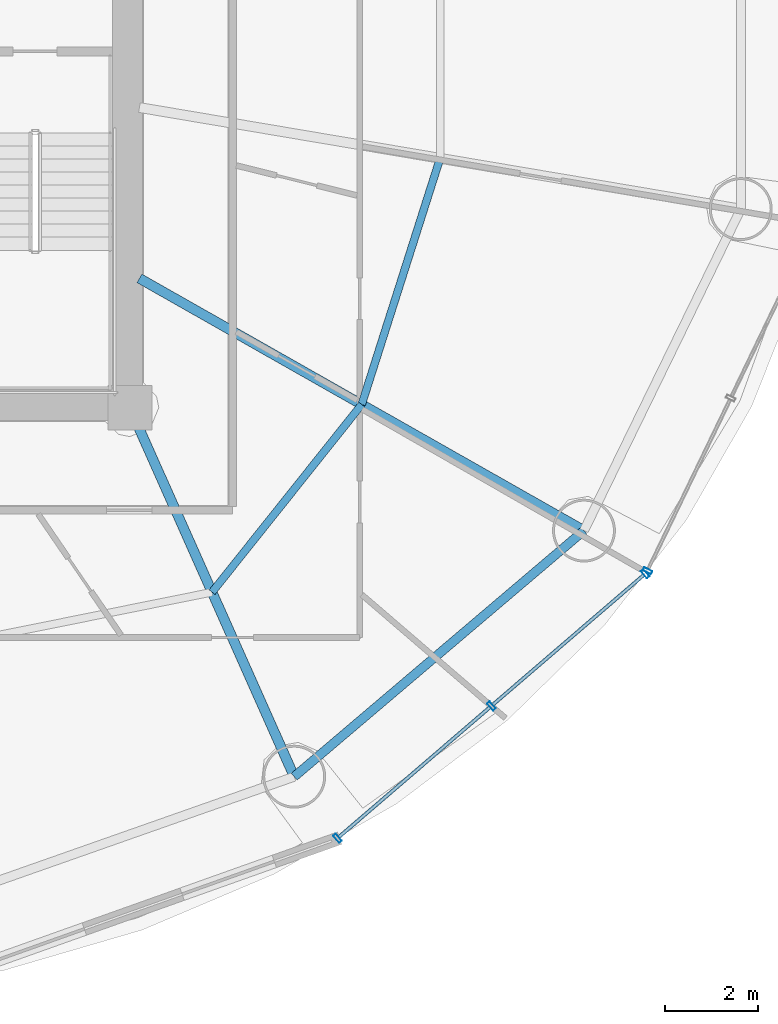
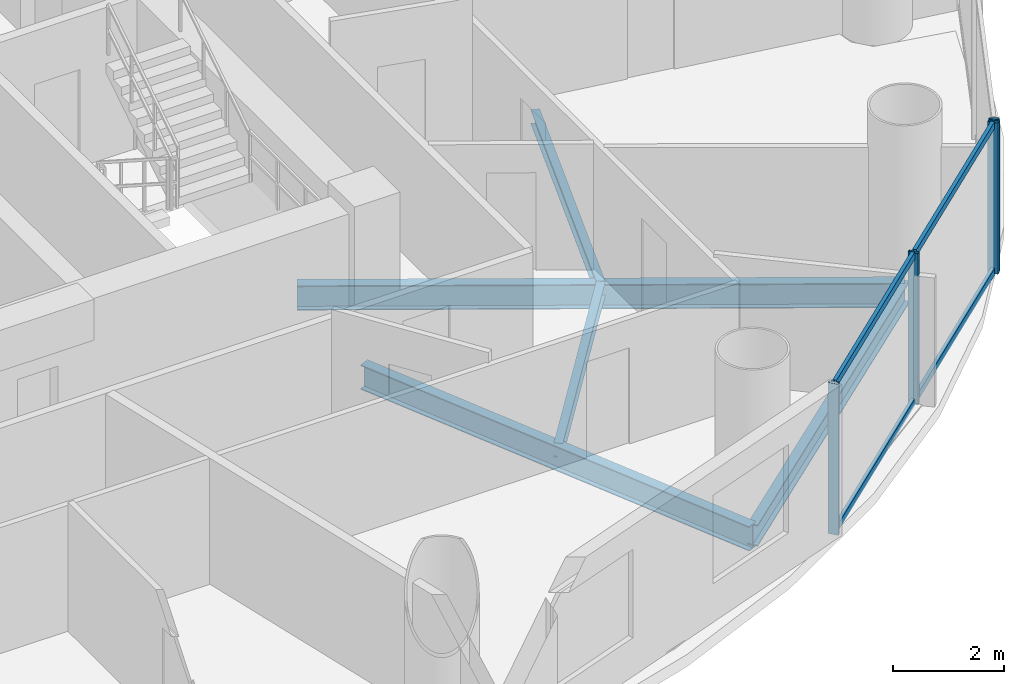
# One storey, part 10 of 26: 8 members, 5 beams, 2 elements without a shape of their own.
"""IFC4 building model written with IfcOpenShell, lengths in metres."""

import ifcopenshell
import ifcopenshell.guid

model = None  # the IFC model being written
_history = None  # IfcOwnerHistory: only IFC2X3 demands one
_inside = {}  # id of a spatial element -> (the spatial element, [elements in it])
_under = {}  # id of a project, library or spatial element -> (it, [spatial elements below it])
_declared = {}  # id of a project -> (the project, [libraries it declares])
_typed = {}  # id of a type object -> (the type object, [elements of that type])
_made_of = {}  # id of a material, layer set ... -> (it, [elements and type objects made of it])


def new_model(schema):
    """Start an empty IFC model of exactly this schema.

    Asked for "IFC4X3", IfcOpenShell would pick the latest addendum, in which some entities
    have other attributes; the version numbers below select the first issue.
    IFC2X3 requires an IfcOwnerHistory on every rooted entity: one is made here for all.
    """
    global model, _history
    if schema == "IFC4X3":
        model = ifcopenshell.file(schema_version=(4, 3, 0, 0))
    else:
        model = ifcopenshell.file(schema=schema)
    _inside.clear()
    _under.clear()
    _declared.clear()
    _typed.clear()
    _made_of.clear()
    _history = None
    if model.schema == "IFC2X3":
        org = make("IfcOrganization", Name="unknown")
        user = make(
            "IfcPersonAndOrganization",
            ThePerson=make("IfcPerson", FamilyName="unknown"),
            TheOrganization=org,
        )
        app = make(
            "IfcApplication",
            ApplicationDeveloper=org,
            Version="unknown",
            ApplicationFullName="unknown",
            ApplicationIdentifier="unknown",
        )
        _history = make(
            "IfcOwnerHistory",
            OwningUser=user,
            OwningApplication=app,
            ChangeAction="ADDED",
            CreationDate=0,
        )
    return model


def make(cls, **values):
    """One entity of the class cls with the attributes given. An attribute that is None is left unset."""
    return model.create_entity(
        cls, **{name: value for name, value in values.items() if value is not None}
    )


def rooted(cls, **values):
    """An entity with a GlobalId (a new one), such as an element, a storey or a relation."""
    return make(cls, GlobalId=ifcopenshell.guid.new(), OwnerHistory=_history, **values)


def si_unit(unit_type, name, prefix=None):
    """IfcSIUnit, for example si_unit("LENGTHUNIT", "METRE", prefix="MILLI")."""
    return make("IfcSIUnit", UnitType=unit_type, Prefix=prefix, Name=name)


def assignment(units):
    """IfcUnitAssignment: the units of a project."""
    return None if units is None else make("IfcUnitAssignment", Units=units)


def point(xyz):
    """IfcCartesianPoint."""
    return None if xyz is None else make("IfcCartesianPoint", Coordinates=xyz)


def direction(xyz):
    """IfcDirection."""
    return None if xyz is None else make("IfcDirection", DirectionRatios=xyz)


def frame(location, z_axis=None, x_axis=None):
    """IfcAxis2Placement3D, a coordinate frame: its origin and axes. An axis left out is left unset."""
    return make(
        "IfcAxis2Placement3D",
        Location=point(location),
        Axis=direction(z_axis),
        RefDirection=direction(x_axis),
    )


def frame_2d(location, x_axis=None):
    """IfcAxis2Placement2D, a coordinate frame in the plane: its origin and x axis."""
    return make(
        "IfcAxis2Placement2D", Location=point(location), RefDirection=direction(x_axis)
    )


def origin():
    """The frame at (0, 0, 0) with its axes left unset."""
    return frame((0.0, 0.0, 0.0))


def origin_2d():
    """The frame at (0, 0) in the plane with its x axis left unset."""
    return frame_2d((0.0, 0.0))


def place(relative_to, where):
    """IfcLocalPlacement: puts the frame where relative to a parent placement (None: the world)."""
    return make(
        "IfcLocalPlacement", PlacementRelTo=relative_to, RelativePlacement=where
    )


def context(
    kind, dimensions, precision=None, world=None, true_north=None, identifier=None
):
    """IfcGeometricRepresentationContext, for example the 3D "Model" context."""
    return make(
        "IfcGeometricRepresentationContext",
        ContextIdentifier=identifier,
        ContextType=kind,
        CoordinateSpaceDimension=dimensions,
        Precision=precision,
        WorldCoordinateSystem=world,
        TrueNorth=true_north,
    )


def subcontext(parent, identifier, kind, view, scale=None):
    """IfcGeometricRepresentationSubContext, for example "Body" below "Model"."""
    return make(
        "IfcGeometricRepresentationSubContext",
        ContextIdentifier=identifier,
        ContextType=kind,
        ParentContext=parent,
        TargetScale=scale,
        TargetView=view,
    )


def project(units=None, contexts=None):
    """IfcProject with its units and contexts."""
    return rooted(
        "IfcProject",
        Name="project",
        RepresentationContexts=contexts,
        UnitsInContext=assignment(units),
    )


def spatial(cls, under=None, at=None, **own):
    """A site, building, storey or space (cls), placed at a placement, below another one or the project."""
    s = rooted(cls, ObjectPlacement=at, **own)
    if under is not None:
        _under.setdefault(under.id(), (under, []))[1].append(s)
    return s


def profile(cls, at=None, kind="AREA", **sizes):
    """A parametric profile (cls). Its sizes go by their IFC names, for example OverallWidth=200.0."""
    return make(cls, ProfileType=kind, Position=at, **sizes)


def hollow_rectangle(**sizes):
    """IfcRectangleHollowProfileDef."""
    return profile("IfcRectangleHollowProfileDef", **sizes)


def i_section(**sizes):
    """IfcIShapeProfileDef."""
    return profile("IfcIShapeProfileDef", **sizes)


def extrude(swept, where, along, depth):
    """IfcExtrudedAreaSolid: the profile swept, set in the frame where, extruded along a direction by depth."""
    return make(
        "IfcExtrudedAreaSolid",
        SweptArea=swept,
        Position=where,
        ExtrudedDirection=direction(along),
        Depth=depth,
    )


def shape(context_of_items, identifier, shape_type, items):
    """IfcShapeRepresentation: the items that make up one representation, for example the "Body"."""
    return make(
        "IfcShapeRepresentation",
        ContextOfItems=context_of_items,
        RepresentationIdentifier=identifier,
        RepresentationType=shape_type,
        Items=items,
    )


def source(mapping_origin, context_of_items, identifier, shape_type, items):
    """IfcRepresentationMap: a shape defined once, which mapped items show again and again."""
    return make(
        "IfcRepresentationMap",
        MappingOrigin=mapping_origin,
        MappedRepresentation=shape(context_of_items, identifier, shape_type, items),
    )


def transform(
    local_origin,
    x_axis=None,
    y_axis=None,
    z_axis=None,
    scale=None,
    scale2=None,
    scale3=None,
    uniform=True,
):
    """IfcCartesianTransformationOperator3D, or its non-uniform kind. x_axis, y_axis, z_axis: its Axis1, 2, 3."""
    if uniform:
        return make(
            "IfcCartesianTransformationOperator3D",
            Axis1=direction(x_axis),
            Axis2=direction(y_axis),
            LocalOrigin=point(local_origin),
            Scale=scale,
            Axis3=direction(z_axis),
        )
    return make(
        "IfcCartesianTransformationOperator3DnonUniform",
        Axis1=direction(x_axis),
        Axis2=direction(y_axis),
        LocalOrigin=point(local_origin),
        Scale=scale,
        Axis3=direction(z_axis),
        Scale2=scale2,
        Scale3=scale3,
    )


def mapped(mapping_source, mapping_target):
    """IfcMappedItem: shows the shape of a source again, moved by a transform."""
    return make(
        "IfcMappedItem", MappingSource=mapping_source, MappingTarget=mapping_target
    )


def material(Name=None, Category=None):
    """IfcMaterial."""
    return make("IfcMaterial", Name=Name, Category=Category)


def material_profile(
    of_material, cross_section, Name=None, Category=None, Priority=None
):
    """IfcMaterialProfile: a cross section and its material."""
    return make(
        "IfcMaterialProfile",
        Name=Name,
        Material=of_material,
        Profile=cross_section,
        Priority=Priority,
        Category=Category,
    )


def profile_set(profiles, Name=None, composite=None):
    """IfcMaterialProfileSet."""
    return make(
        "IfcMaterialProfileSet",
        Name=Name,
        MaterialProfiles=profiles,
        CompositeProfile=composite,
    )


def made_of(thing, what):
    """Note that an element or type object is made of a material, layer set ...; save() writes the relation."""
    if what is not None:
        _made_of.setdefault(what.id(), (what, []))[1].append(thing)
    return thing


def type_object(cls, material=None, **own):
    """A type object (cls), such as IfcWallType, which elements share."""
    return made_of(rooted(cls, **own), material)


def element(
    cls,
    number,
    at=None,
    inside=None,
    cuts=None,
    type_object=None,
    material=None,
    context=None,
    identifier="Body",
    shape_type=None,
    held_by="IfcProductDefinitionShape",
    body=None,
    shapes=None,
    **own,
):
    """One element of the class cls, such as IfcWall. Its Tag is "e" and its number.

    at: its placement. inside: the storey or other place that contains it. cuts: it is an
    opening in that element (IfcRelVoidsElement). A single representation is given by context,
    identifier, shape_type and body (its items); several are given by shapes. held_by: the class
    of the entity that holds the representations. save() writes the other relations.
    """
    e = rooted(cls, Tag="e%d" % number, ObjectPlacement=at, **own)
    if body is not None:
        shapes = [shape(context, identifier, shape_type, body)]
    if shapes is not None:
        e.Representation = make(held_by, Representations=shapes)
    if inside is not None:
        _inside.setdefault(inside.id(), (inside, []))[1].append(e)
    if cuts is not None:
        rooted(
            "IfcRelVoidsElement", RelatingBuildingElement=cuts, RelatedOpeningElement=e
        )
    if type_object is not None:
        _typed.setdefault(type_object.id(), (type_object, []))[1].append(e)
    return made_of(e, material)


def aggregate(whole, parts):
    """IfcRelAggregates: a whole, such as a stair, and the parts it consists of."""
    return rooted("IfcRelAggregates", RelatingObject=whole, RelatedObjects=parts)


def save(model, path):
    """Write the relations noted so far, then the file.

    IfcRelAggregates (storeys below a building ...), IfcRelContainedInSpatialStructure (elements
    in a storey), IfcRelDefinesByType, IfcRelAssociatesMaterial and IfcRelDeclares: one each for
    every whole, place, type object, material and project.
    """
    for whole, parts in _under.values():
        aggregate(whole, parts)
    for where, things in _inside.values():
        rooted(
            "IfcRelContainedInSpatialStructure",
            RelatedElements=things,
            RelatingStructure=where,
        )
    for kind, things in _typed.values():
        rooted("IfcRelDefinesByType", RelatedObjects=things, RelatingType=kind)
    for what, things in _made_of.values():
        rooted("IfcRelAssociatesMaterial", RelatedObjects=things, RelatingMaterial=what)
    for by, libraries in _declared.values():
        rooted("IfcRelDeclares", RelatingContext=by, RelatedDefinitions=libraries)
    model.write(path)


model = new_model("IFC4")

# Units and contexts
model_context = context("Model", 3, precision=1e-05, world=origin(), true_north=direction((-0.2419218956, 0.970295726276)))
body_context = subcontext(model_context, "Body", "Model", "MODEL_VIEW")
ifc_project = project(units=[si_unit("LENGTHUNIT", "METRE"), si_unit("AREAUNIT", "SQUARE_METRE"), si_unit("VOLUMEUNIT", "CUBIC_METRE"), si_unit("PLANEANGLEUNIT", "RADIAN"), si_unit("MASSUNIT", "GRAM", prefix="KILO")], contexts=[model_context])

# Site, building, storey
site_placement = place(None, origin())
site = spatial("IfcSite", under=ifc_project, at=site_placement, CompositionType="ELEMENT")
building_placement = place(site_placement, origin())
building = spatial("IfcBuilding", under=site, at=building_placement, Name="Cobrevalo Terracotta Tower", CompositionType="ELEMENT")
storey_placement = place(building_placement, frame((0.0, 0.0, 142.60009765625)))
storey = spatial("IfcBuildingStorey", under=building, at=storey_placement, Name="L37", CompositionType="ELEMENT", Elevation=142.60009765625)

# Beams
ifc_material_1 = material(Name="Steel S355", Category="steel")
ifc_material_profile_1 = material_profile(ifc_material_1, i_section(OverallWidth=0.2109375, OverallDepth=0.5390625, WebThickness=0.01171875, FlangeThickness=0.018798828125, at=origin_2d()), Name="W 530x109")
ifc_profile_set_1 = profile_set([ifc_material_profile_1], Name="Steel S355")
beam_type_1 = type_object("IfcBeamType", Name="Structural Beam W 530x109 (Steel S355)", PredefinedType="BEAM", material=ifc_profile_set_1)
beam_1_placement = place(storey_placement, frame((50.528076171875, 10.87744140625, -0.53955078125), z_axis=(-0.406804395691, 0.913515289224, 0.0), x_axis=(-0.913515289224, -0.406804395691, 0.0)))
element("IfcBeam", 1, at=beam_1_placement, inside=storey, type_object=beam_type_1, Name="L37 radial floor girder 14", PredefinedType="BEAM", context=body_context, shape_type="SweptSolid", body=[
    extrude(i_section(OverallWidth=0.2109375, OverallDepth=0.5390625, WebThickness=0.01171875, FlangeThickness=0.018798828125, at=origin_2d()), origin(), (0.0, 0.0, 1.0), 8.672607421875),
])
beam_2_placement = place(storey_placement, frame((56.749755859375, 16.160888671875, -0.53955078125), z_axis=(-0.869743726706, 0.493503647257, 0.0), x_axis=(-0.493503647257, -0.869743726706, 0.0)))
element("IfcBeam", 2, at=beam_2_placement, inside=storey, type_object=beam_type_1, Name="L37 radial floor girder 15", PredefinedType="BEAM", context=body_context, shape_type="SweptSolid", body=[
    extrude(i_section(OverallWidth=0.2109375, OverallDepth=0.5390625, WebThickness=0.01171875, FlangeThickness=0.018798828125, at=origin_2d()), origin(), (0.0, 0.0, 1.0), 10.97412109375),
])
ifc_material_profile_2 = material_profile(ifc_material_1, i_section(OverallWidth=0.1650390625, OverallDepth=0.31005859375, WebThickness=0.005859375, FlangeThickness=0.009765625, at=origin_2d()), Name="W 310x38.7")
ifc_profile_set_2 = profile_set([ifc_material_profile_2], Name="Steel S355")
beam_type_2 = type_object("IfcBeamType", Name="Structural Joist W 310x38.7 (Steel S355)", PredefinedType="JOIST", material=ifc_profile_set_2)
beam_3_placement = place(storey_placement, frame((48.76416015625, 14.838623046875, -0.425048828125), z_axis=(0.623382939397, 0.781916690492, 0.0), x_axis=(-0.781916690492, 0.623382939397, 0.0)))
element("IfcBeam", 3, at=beam_3_placement, inside=storey, type_object=beam_type_2, Name="L37 circumferential secondary floor joist 14", PredefinedType="JOIST", context=body_context, shape_type="SweptSolid", body=[
    extrude(i_section(OverallWidth=0.1650390625, OverallDepth=0.31005859375, WebThickness=0.005859375, FlangeThickness=0.009765625, at=origin_2d()), origin(), (0.0, 0.0, 1.0), 5.154296875),
])
beam_4_placement = place(storey_placement, frame((51.977294921875, 18.868896484375, -0.425048828125), z_axis=(0.303497928386, 0.952832098255, 0.0), x_axis=(-0.952832098255, 0.303497928386, 0.0)))
element("IfcBeam", 4, at=beam_4_placement, inside=storey, type_object=beam_type_2, Name="L37 circumferential secondary floor joist 15", PredefinedType="JOIST", context=body_context, shape_type="SweptSolid", body=[
    extrude(i_section(OverallWidth=0.1650390625, OverallDepth=0.31005859375, WebThickness=0.005859375, FlangeThickness=0.009765625, at=origin_2d()), origin(), (0.0, 0.0, 1.0), 5.54736328125),
])
ifc_material_profile_3 = material_profile(ifc_material_1, i_section(OverallWidth=0.194091796875, OverallDepth=0.468994140625, WebThickness=0.011474609375, FlangeThickness=0.0205078125, at=origin_2d()), Name="W 460x106")
ifc_profile_set_3 = profile_set([ifc_material_profile_3], Name="Steel S355")
beam_type_3 = type_object("IfcBeamType", Name="Structural Spandrel W 460x106 (Steel S355)", PredefinedType="SPANDREL", material=ifc_profile_set_3)
beam_5_placement = place(storey_placement, frame((50.528076171875, 10.87744140625, -0.504638671875), z_axis=(0.762240337798, 0.647294112003, 0.0), x_axis=(-0.647294112003, 0.762240337798, 0.0)))
element("IfcBeam", 5, at=beam_5_placement, inside=storey, type_object=beam_type_3, Name="L37 perimeter ring spandrel 14", PredefinedType="SPANDREL", context=body_context, shape_type="SweptSolid", body=[
    extrude(i_section(OverallWidth=0.194091796875, OverallDepth=0.468994140625, WebThickness=0.011474609375, FlangeThickness=0.0205078125, at=origin_2d()), origin(), (0.0, 0.0, 1.0), 8.162353515625),
])

# Curtain wall, members
ifc_material_2 = material(Name="Anodized aluminium", Category="aluminium")
curtain_wall_type = type_object("IfcCurtainWallType", Name="Mid-tower high-wind unitised curtain wall CW-U2", PredefinedType="NOTDEFINED", material=ifc_material_2)
curtain_wall_1_placement = place(storey_placement, origin())
curtain_wall_1 = element("IfcCurtainWall", 6, at=curtain_wall_1_placement, inside=storey, type_object=curtain_wall_type, Name="L37 curtain wall CW-L37-S14", PredefinedType="NOTDEFINED")
ifc_material_profile_4 = material_profile(ifc_material_2, hollow_rectangle(XDim=0.074951171875, YDim=0.14990234375, WallThickness=0.00439453125, at=origin_2d()), Name="CWT 75x150")
ifc_profile_set_4 = profile_set([ifc_material_profile_4], Name="Anodized aluminium")
member_type_1 = type_object("IfcMemberType", Name="Tower unitised aluminium transom 75x150", PredefinedType="USERDEFINED", material=ifc_profile_set_4)
shared_shape_1 = source(origin(), body_context, "Body", "SweptSolid", [
    extrude(hollow_rectangle(XDim=0.074951171875, YDim=0.14990234375, WallThickness=0.00439453125, at=origin_2d()), origin(), (0.0, 0.0, 1.0), 4.276123046875),
])
member_1_placement = place(storey_placement, frame((51.48876953125, 9.58251953125, 0.0498046875), z_axis=(0.758417719247, 0.651768795764, 0.0), x_axis=(-0.651768795764, 0.758417719247, 0.0)))
member_1 = element("IfcMember", 7, at=member_1_placement, type_object=member_type_1, Name="CW-L37-S14 transom B01-T1", ObjectType="TRANSOM", PredefinedType="USERDEFINED", context=body_context, shape_type="MappedRepresentation", body=[
    mapped(shared_shape_1, transform((0.0, 0.0, 0.0), scale=1.0)),
])
member_2_placement = place(storey_placement, frame((51.48876953125, 9.58251953125, 3.27978515625), z_axis=(0.758417719247, 0.651768795764, 0.0), x_axis=(-0.651768795764, 0.758417719247, 0.0)))
member_2 = element("IfcMember", 8, at=member_2_placement, type_object=member_type_1, Name="CW-L37-S14 transom B01-T2", ObjectType="TRANSOM", PredefinedType="USERDEFINED", context=body_context, shape_type="MappedRepresentation", body=[
    mapped(shared_shape_1, transform((0.0, 0.0, 0.0), scale=1.0)),
])
member_3_placement = place(storey_placement, frame((54.792724609375, 12.421630859375, 0.0498046875), z_axis=(0.758417719247, 0.651768795764, 0.0), x_axis=(-0.651768795764, 0.758417719247, 0.0)))
member_3 = element("IfcMember", 9, at=member_3_placement, type_object=member_type_1, Name="CW-L37-S14 transom B02-T1", ObjectType="TRANSOM", PredefinedType="USERDEFINED", context=body_context, shape_type="MappedRepresentation", body=[
    mapped(shared_shape_1, transform((0.0, 0.0, 0.0), scale=1.0)),
])
member_4_placement = place(storey_placement, frame((54.792724609375, 12.421630859375, 3.27978515625), z_axis=(0.758417719247, 0.651768795764, 0.0), x_axis=(-0.651768795764, 0.758417719247, 0.0)))
member_4 = element("IfcMember", 10, at=member_4_placement, type_object=member_type_1, Name="CW-L37-S14 transom B02-T2", ObjectType="TRANSOM", PredefinedType="USERDEFINED", context=body_context, shape_type="MappedRepresentation", body=[
    mapped(shared_shape_1, transform((0.0, 0.0, 0.0), scale=1.0)),
])
ifc_material_profile_5 = material_profile(ifc_material_2, hollow_rectangle(XDim=0.074951171875, YDim=0.199951171875, WallThickness=0.0048828125, at=origin_2d()), Name="CWM 75x200")
ifc_profile_set_5 = profile_set([ifc_material_profile_5], Name="Anodized aluminium")
member_type_2 = type_object("IfcMemberType", Name="Lower/mid tower unitised mullion 75x200", PredefinedType="MULLION", material=ifc_profile_set_5)
shared_shape_2 = source(origin(), body_context, "Body", "SweptSolid", [
    extrude(hollow_rectangle(XDim=0.074951171875, YDim=0.199951171875, WallThickness=0.0048828125, at=origin_2d()), origin(), (0.0, 0.0, 1.0), 3.329833984375),
])
member_5_placement = place(storey_placement, frame((51.45849609375, 9.556396484375, 0.0), z_axis=(0.0, 0.0, 1.0), x_axis=(0.758441546142, 0.65174106905, 0.0)))
member_5 = element("IfcMember", 11, at=member_5_placement, type_object=member_type_2, Name="CW-L37-S14 vertical mullion 01", PredefinedType="MULLION", context=body_context, shape_type="MappedRepresentation", body=[
    mapped(shared_shape_2, transform((0.0, 0.0, 0.0), scale=1.0)),
])
member_6_placement = place(storey_placement, frame((54.762451171875, 12.3955078125, 0.0), z_axis=(0.0, 0.0, 1.0), x_axis=(0.758441546142, 0.65174106905, 0.0)))
member_6 = element("IfcMember", 12, at=member_6_placement, type_object=member_type_2, Name="CW-L37-S14 vertical mullion 02", PredefinedType="MULLION", context=body_context, shape_type="MappedRepresentation", body=[
    mapped(shared_shape_2, transform((0.0, 0.0, 0.0), scale=1.0)),
])
member_7_placement = place(storey_placement, frame((58.066162109375, 15.234619140625, 0.0), z_axis=(0.0, 0.0, 1.0), x_axis=(0.758441546142, 0.65174106905, 0.0)))
member_7 = element("IfcMember", 13, at=member_7_placement, type_object=member_type_2, Name="CW-L37-S14 vertical mullion 03", PredefinedType="MULLION", context=body_context, shape_type="MappedRepresentation", body=[
    mapped(shared_shape_2, transform((0.0, 0.0, 0.0), scale=1.0)),
])
aggregate(curtain_wall_1, [member_5, member_6, member_7, member_1, member_2, member_3, member_4])

# Curtain wall, member
curtain_wall_2_placement = place(storey_placement, origin())
curtain_wall_2 = element("IfcCurtainWall", 14, at=curtain_wall_2_placement, inside=storey, type_object=curtain_wall_type, Name="L37 curtain wall CW-L37-S15", PredefinedType="NOTDEFINED")
member_8_placement = place(storey_placement, frame((58.114013671875, 15.296875, 0.0), z_axis=(0.0, 0.0, 1.0), x_axis=(0.434209440271, 0.900811945957, 0.0)))
member_8 = element("IfcMember", 15, at=member_8_placement, type_object=member_type_2, Name="CW-L37-S15 vertical mullion 01", PredefinedType="MULLION", context=body_context, shape_type="MappedRepresentation", body=[
    mapped(shared_shape_2, transform((0.0, 0.0, 0.0), scale=1.0)),
])
aggregate(curtain_wall_2, [member_8])

save(model, "model.ifc")
